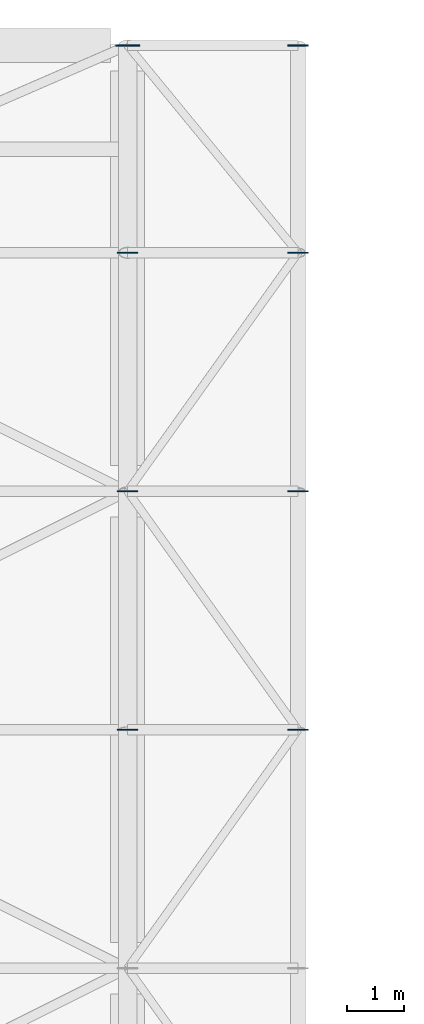
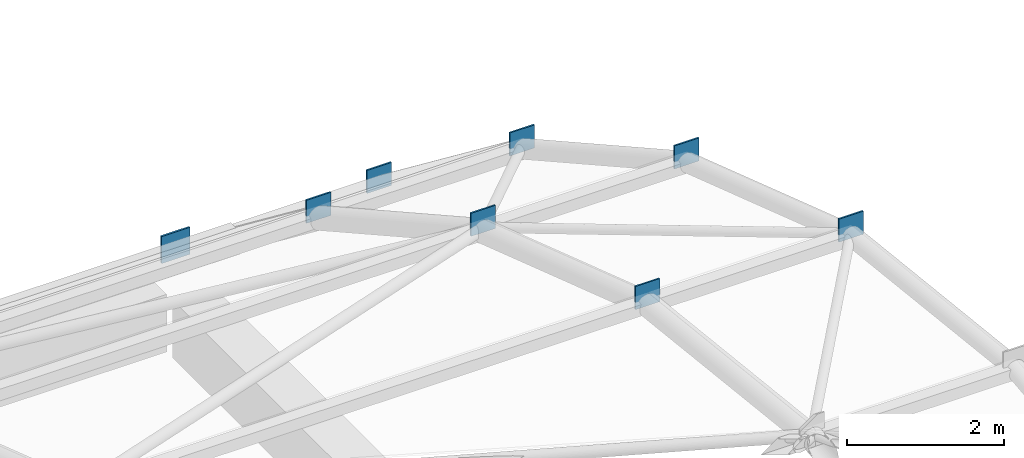
# One storey, part 27 of 38: 8 plates.
"""IFC4 building model written with IfcOpenShell, lengths in metres."""

from ifc_helpers import new_model, si_unit, direction, frame, origin, origin_2d, place, context, subcontext, project, spatial, rectangle, extrude, material, layer, layer_set, type_object, element, save


model = new_model("IFC4")

# Units and contexts
model_context = context("Model", 3, precision=1e-05, world=origin(), true_north=direction((0.0, 1.0)))
body_context = subcontext(model_context, "Body", "Model", "MODEL_VIEW")
ifc_project = project(units=[si_unit("LENGTHUNIT", "METRE"), si_unit("AREAUNIT", "SQUARE_METRE"), si_unit("VOLUMEUNIT", "CUBIC_METRE"), si_unit("PLANEANGLEUNIT", "RADIAN"), si_unit("MASSUNIT", "GRAM", prefix="KILO")], contexts=[model_context])

# Site, building, storey
site_placement = place(None, origin())
site = spatial("IfcSite", under=ifc_project, at=site_placement, CompositionType="ELEMENT")
building_placement = place(site_placement, origin())
building = spatial("IfcBuilding", under=site, at=building_placement, Name="Brinegate Botanical Conservatory", CompositionType="ELEMENT")
storey_placement = place(building_placement, frame((0.0, 0.0, 10.199951171875)))
storey = spatial("IfcBuildingStorey", under=building, at=storey_placement, Name="L03", CompositionType="ELEMENT", Elevation=10.199951171875)

# Plates
ifc_material = material(Name="Welded node steel Q355GJ / S355", Category="steel")
ifc_layer_1 = layer(ifc_material, 0.028076171875, Name="Welded node steel Q355GJ / S355", Category="steel")
ifc_layer_set_1 = layer_set([ifc_layer_1], Name="Welded node steel Q355GJ / S355")
plate_type_1 = type_object("IfcPlateType", Name="Plate_CSN-01", PredefinedType="USERDEFINED", material=ifc_layer_set_1)
plate_placement = place(storey_placement, frame((33.60009765625, 111.449951171875, 0.273193359375), z_axis=(0.0, 0.0, 1.0), x_axis=(1.0, 0.0, 0.0)))
element("IfcPlate", 1, at=plate_placement, inside=storey, type_object=plate_type_1, Name="Gridshell welded hub node CSN-01 WP-045", ObjectType="GUSSET PLATE", PredefinedType="USERDEFINED", context=body_context, shape_type="SweptSolid", body=[
    extrude(rectangle(XDim=0.419921875, YDim=0.028076171875, at=origin_2d()), origin(), (0.0, 0.0, 1.0), 0.419921875),
])
ifc_layer_2 = layer(ifc_material, 0.02392578125, Name="Welded node steel Q355GJ / S355", Category="steel")
ifc_layer_set_2 = layer_set([ifc_layer_2], Name="Welded node steel Q355GJ / S355")
plate_type_2 = type_object("IfcPlateType", Name="Plate_WSN-01", PredefinedType="USERDEFINED", material=ifc_layer_set_2)
for number, where, z_axis, x_axis, name in (
    (2, (33.60009765625, 99.39990234375, 6.85107421875), (0.0, 0.0, 1.0), (1.0, 0.0, 0.0), "Gridshell welded hub node WSN-01 WP-042"),
    (3, (33.60009765625, 103.60009765625, 5.44482421875), (0.0, 0.0, 1.0), (1.0, 0.0, 0.0), "Gridshell welded hub node WSN-01 WP-043"),
    (4, (33.60009765625, 107.800048828125, 3.10107421875), (0.0, 0.0, 1.0), (1.0, 0.0, 0.0), "Gridshell welded hub node WSN-01 WP-044"),
    (5, (36.60009765625, 99.39990234375, 6.85107421875), (0.0, 0.0, 1.0), (1.0, 0.0, 0.0), "Gridshell welded hub node WSN-01 WP-051"),
    (6, (36.60009765625, 103.60009765625, 5.44482421875), (0.0, 0.0, 1.0), (1.0, 0.0, 0.0), "Gridshell welded hub node WSN-01 WP-052"),
    (7, (36.60009765625, 107.800048828125, 3.10107421875), (0.0, 0.0, 1.0), (1.0, 0.0, 0.0), "Gridshell welded hub node WSN-01 WP-053"),
    (8, (36.60009765625, 111.449951171875, 0.30322265625), (0.0, 0.0, 1.0), (1.0, 0.0, 0.0), "Gridshell welded hub node WSN-01 WP-054"),
):
    element("IfcPlate", number, at=place(storey_placement, frame(where, z_axis=z_axis, x_axis=x_axis)), inside=storey, type_object=plate_type_2, Name=name, ObjectType="GUSSET PLATE", PredefinedType="USERDEFINED", context=body_context, shape_type="SweptSolid", body=[
        extrude(rectangle(XDim=0.360107421875, YDim=0.02392578125, at=origin_2d()), origin(), (0.0, 0.0, 1.0), 0.360107421875),
    ])

save(model, "model.ifc")
